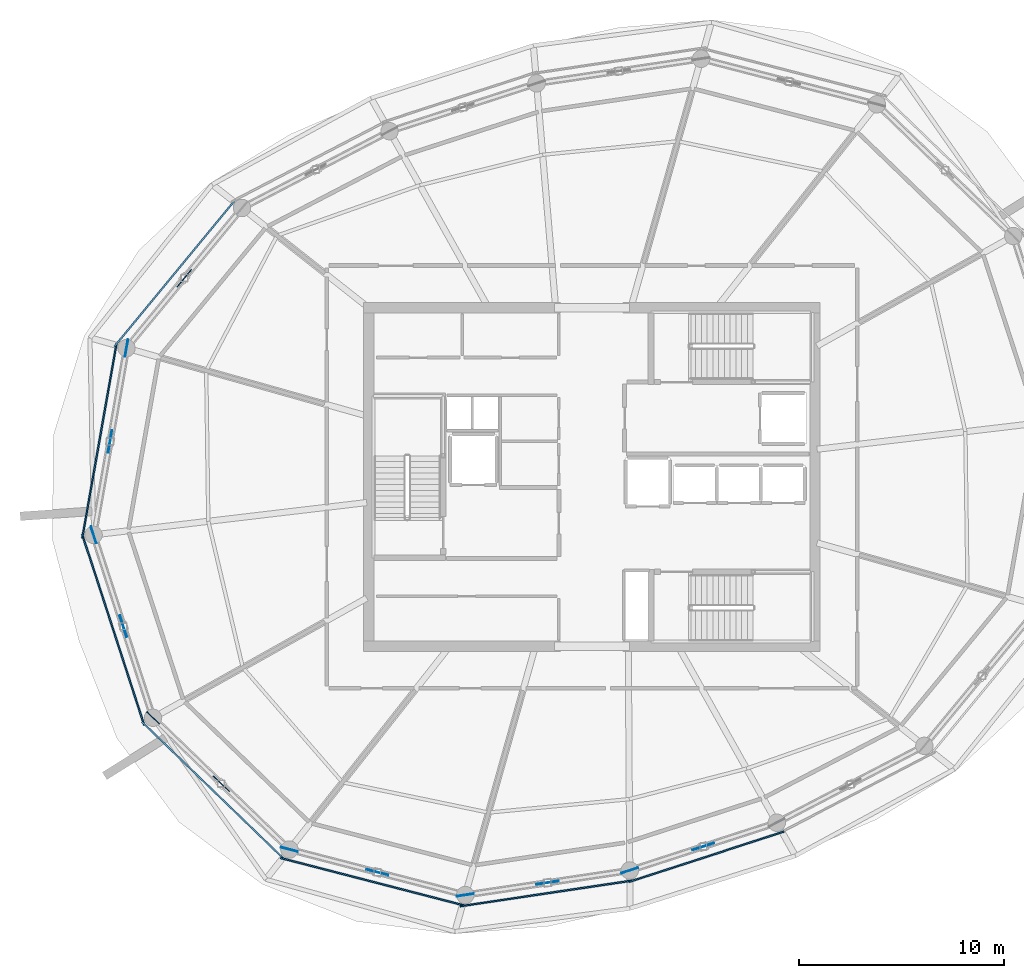
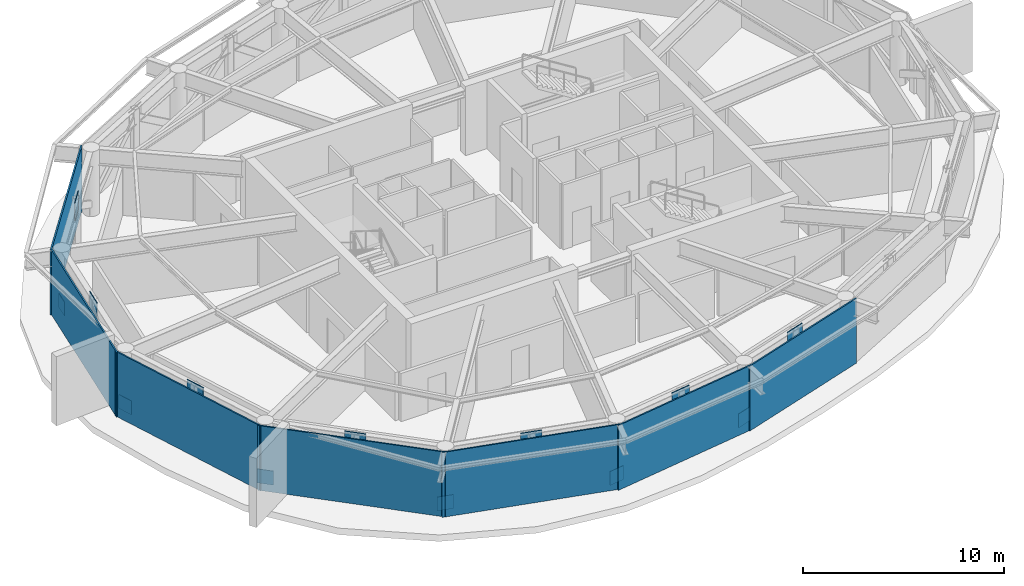
# One storey, part 8 of 14: 20 plates.
"""IFC4 building model written with IfcOpenShell, lengths in metres."""

from ifc_helpers import new_model, si_unit, direction, frame, origin, origin_2d, place, context, subcontext, project, spatial, rectangle, extrude, material, layer, layer_set, type_object, element, save


model = new_model("IFC4")

# Units and contexts
model_context = context("Model", 3, precision=1e-05, world=origin(), true_north=direction((0.0, 1.0)))
body_context = subcontext(model_context, "Body", "Model", "MODEL_VIEW")
ifc_project = project(units=[si_unit("LENGTHUNIT", "METRE"), si_unit("AREAUNIT", "SQUARE_METRE"), si_unit("VOLUMEUNIT", "CUBIC_METRE"), si_unit("PLANEANGLEUNIT", "RADIAN"), si_unit("MASSUNIT", "GRAM", prefix="KILO")], contexts=[model_context])

# Site, building, storey
site_placement = place(None, origin())
site = spatial("IfcSite", under=ifc_project, at=site_placement, CompositionType="ELEMENT")
building_placement = place(site_placement, origin())
building = spatial("IfcBuilding", under=site, at=building_placement, Name="Kazma Halo Residences", CompositionType="ELEMENT")
storey_placement = place(building_placement, frame((0.0, 0.0, 343.10009765625)))
storey = spatial("IfcBuildingStorey", under=building, at=storey_placement, Name="L86", CompositionType="ELEMENT", Elevation=343.10009765625)

# Plates
ifc_material_1 = material(Name="Aluminium AW-6063 T6 Perforated Acoustic Louvre Screen", Category="aluminium")
ifc_layer_1 = layer(ifc_material_1, 0.080078125)
ifc_layer_set_1 = layer_set([ifc_layer_1], Name="Aluminium AW-6063 T6 Perforated Acoustic Louvre Screen")
plate_type_1 = type_object("IfcPlateType", Name="PLT-CROWN-LOUVRE", PredefinedType="SHEET", material=ifc_layer_set_1)
plate_1_placement = place(storey_placement, frame((28.09375, 51.923828125, 0.0), z_axis=(0.0, 0.0, 1.0), x_axis=(-0.636006588977, -0.771683626092, 0.0)))
element("IfcPlate", 1, at=plate_1_placement, inside=storey, type_object=plate_type_1, Name="L86 pale-metal acoustic louvre screen 06", PredefinedType="SHEET", context=body_context, shape_type="SweptSolid", body=[
    extrude(rectangle(XDim=9.251220703125, YDim=0.080078125, at=origin_2d()), origin(), (0.0, 0.0, 1.0), 3.93994140625),
])
plate_2_placement = place(storey_placement, frame((24.423583984375, 43.76513671875, 0.0), z_axis=(0.0, 0.0, 1.0), x_axis=(-0.17364643699, -0.984808059939, 0.0)))
element("IfcPlate", 2, at=plate_2_placement, inside=storey, type_object=plate_type_1, Name="L86 pale-metal acoustic louvre screen 07", PredefinedType="SHEET", context=body_context, shape_type="SweptSolid", body=[
    extrude(rectangle(XDim=9.64111328125, YDim=0.080078125, at=origin_2d()), origin(), (0.0, 0.0, 1.0), 3.93994140625),
])
plate_3_placement = place(storey_placement, frame((25.09375, 34.557373046875, 0.0), z_axis=(0.0, 0.0, 1.0), x_axis=(0.309021671922, -0.951054996455, 0.0)))
element("IfcPlate", 3, at=plate_3_placement, inside=storey, type_object=plate_type_1, Name="L86 pale-metal acoustic louvre screen 08", PredefinedType="SHEET", context=body_context, shape_type="SweptSolid", body=[
    extrude(rectangle(XDim=9.774658203125, YDim=0.080078125, at=origin_2d()), origin(), (0.0, 0.0, 1.0), 3.93994140625),
])
plate_4_placement = place(storey_placement, frame((29.9638671875, 26.714111328125, 0.0), z_axis=(0.0, 0.0, 1.0), x_axis=(0.719335265276, -0.694663066623, 0.0)))
element("IfcPlate", 4, at=plate_4_placement, inside=storey, type_object=plate_type_1, Name="L86 pale-metal acoustic louvre screen 09", PredefinedType="SHEET", context=body_context, shape_type="SweptSolid", body=[
    extrude(rectangle(XDim=9.64111328125, YDim=0.080078125, at=origin_2d()), origin(), (0.0, 0.0, 1.0), 3.93994140625),
])
plate_5_placement = place(storey_placement, frame((37.728515625, 22.270751953125, 0.0), z_axis=(0.0, 0.0, 1.0), x_axis=(0.968126273724, -0.250462608239, 0.0)))
element("IfcPlate", 5, at=plate_5_placement, inside=storey, type_object=plate_type_1, Name="L86 pale-metal acoustic louvre screen 10", PredefinedType="SHEET", context=body_context, shape_type="SweptSolid", body=[
    extrude(rectangle(XDim=9.251220703125, YDim=0.080078125, at=origin_2d()), origin(), (0.0, 0.0, 1.0), 3.93994140625),
])
plate_6_placement = place(storey_placement, frame((46.216064453125, 21.7041015625, 0.0), z_axis=(0.0, 0.0, 1.0), x_axis=(0.989033960442, 0.147688269991, 0.0)))
element("IfcPlate", 6, at=plate_6_placement, inside=storey, type_object=plate_type_1, Name="L86 pale-metal acoustic louvre screen 11", PredefinedType="SHEET", context=body_context, shape_type="SweptSolid", body=[
    extrude(rectangle(XDim=8.505615234375, YDim=0.080078125, at=origin_2d()), origin(), (0.0, 0.0, 1.0), 3.93994140625),
])
plate_7_placement = place(storey_placement, frame((54.01416015625, 23.490478515625, 0.0), z_axis=(0.0, 0.0, 1.0), x_axis=(0.951057860981, 0.309012855826, 0.0)))
element("IfcPlate", 7, at=plate_7_placement, inside=storey, type_object=plate_type_1, Name="L86 pale-metal acoustic louvre screen 12", PredefinedType="SHEET", context=body_context, shape_type="SweptSolid", body=[
    extrude(rectangle(XDim=7.935546875, YDim=0.080078125, at=origin_2d()), origin(), (0.0, 0.0, 1.0), 3.93994140625),
])
ifc_material_2 = material(Name="Steel S355", Category="steel")
ifc_layer_2 = layer(ifc_material_2, 0.0400390625)
ifc_layer_set_2 = layer_set([ifc_layer_2], Name="Steel S355")
plate_type_2 = type_object("IfcPlateType", Name="PLT-GUSSET-40", PredefinedType="SHEET", material=ifc_layer_set_2)
for number, where, z_axis, x_axis, name in (
    (8, (28.55908203125, 51.69189453125, 2.869873046875), (0.0, 0.0, 1.0), (-0.636006588977, -0.771683626092, 0.0), "L86 belt-truss apex gusset plate 06"),
    (9, (24.942138671875, 43.726318359375, 2.869873046875), (0.0, 0.0, 1.0), (-0.17364643699, -0.984808059939, 0.0), "L86 belt-truss apex gusset plate 07"),
):
    element("IfcPlate", number, at=place(storey_placement, frame(where, z_axis=z_axis, x_axis=x_axis)), inside=storey, type_object=plate_type_2, Name=name, PredefinedType="SHEET", context=body_context, shape_type="SweptSolid", body=[
        extrude(rectangle(XDim=1.10009765625, YDim=0.0400390625, at=origin_2d()), origin(), (0.0, 0.0, 1.0), 1.10009765625),
    ])
plate_8_placement = place(storey_placement, frame((25.744384765625, 48.276611328125, 0.054931640625), z_axis=(0.0, 0.0, 1.0), x_axis=(-0.17364643699, -0.984808059939, 0.0)))
element("IfcPlate", 10, at=plate_8_placement, inside=storey, type_object=plate_type_2, Name="L86 belt-truss column gusset plate 07", PredefinedType="SHEET", context=body_context, shape_type="SweptSolid", body=[
    extrude(rectangle(XDim=0.85009765625, YDim=0.0400390625, at=origin_2d()), origin(), (0.0, 0.0, 1.0), 0.85009765625),
])
plate_9_placement = place(storey_placement, frame((25.588134765625, 34.718017578125, 2.869873046875), z_axis=(0.0, 0.0, 1.0), x_axis=(0.309021671922, -0.951054996455, 0.0)))
element("IfcPlate", 11, at=plate_9_placement, inside=storey, type_object=plate_type_2, Name="L86 belt-truss apex gusset plate 08", PredefinedType="SHEET", context=body_context, shape_type="SweptSolid", body=[
    extrude(rectangle(XDim=1.10009765625, YDim=0.0400390625, at=origin_2d()), origin(), (0.0, 0.0, 1.0), 1.10009765625),
])
plate_10_placement = place(storey_placement, frame((24.1396484375, 39.17578125, 0.054931640625), z_axis=(0.0, 0.0, 1.0), x_axis=(0.309021671922, -0.951054996455, 0.0)))
element("IfcPlate", 12, at=plate_10_placement, inside=storey, type_object=plate_type_2, Name="L86 belt-truss column gusset plate 08", PredefinedType="SHEET", context=body_context, shape_type="SweptSolid", body=[
    extrude(rectangle(XDim=0.85009765625, YDim=0.0400390625, at=origin_2d()), origin(), (0.0, 0.0, 1.0), 0.85009765625),
])
plate_11_placement = place(storey_placement, frame((30.360595703125, 27.05029296875, 2.869873046875), z_axis=(0.0, 0.0, 1.0), x_axis=(0.719335265276, -0.694663066623, 0.0)))
element("IfcPlate", 13, at=plate_11_placement, inside=storey, type_object=plate_type_2, Name="L86 belt-truss apex gusset plate 09", PredefinedType="SHEET", context=body_context, shape_type="SweptSolid", body=[
    extrude(rectangle(XDim=1.10009765625, YDim=0.0400390625, at=origin_2d()), origin(), (0.0, 0.0, 1.0), 1.10009765625),
])
plate_12_placement = place(storey_placement, frame((27.03662109375, 30.260009765625, 0.054931640625), z_axis=(0.0, 0.0, 1.0), x_axis=(0.719335265276, -0.694663066623, 0.0)))
element("IfcPlate", 14, at=plate_12_placement, inside=storey, type_object=plate_type_2, Name="L86 belt-truss column gusset plate 09", PredefinedType="SHEET", context=body_context, shape_type="SweptSolid", body=[
    extrude(rectangle(XDim=0.85009765625, YDim=0.0400390625, at=origin_2d()), origin(), (0.0, 0.0, 1.0), 0.85009765625),
])
plate_13_placement = place(storey_placement, frame((37.96875, 22.732177734375, 2.869873046875), z_axis=(0.0, 0.0, 1.0), x_axis=(0.968126273724, -0.250462608239, 0.0)))
element("IfcPlate", 15, at=plate_13_placement, inside=storey, type_object=plate_type_2, Name="L86 belt-truss apex gusset plate 10", PredefinedType="SHEET", context=body_context, shape_type="SweptSolid", body=[
    extrude(rectangle(XDim=1.10009765625, YDim=0.0400390625, at=origin_2d()), origin(), (0.0, 0.0, 1.0), 1.10009765625),
])
plate_14_placement = place(storey_placement, frame((33.68408203125, 23.840576171875, 0.054931640625), z_axis=(0.0, 0.0, 1.0), x_axis=(0.968126273724, -0.250462608239, 0.0)))
element("IfcPlate", 16, at=plate_14_placement, inside=storey, type_object=plate_type_2, Name="L86 belt-truss column gusset plate 10", PredefinedType="SHEET", context=body_context, shape_type="SweptSolid", body=[
    extrude(rectangle(XDim=0.85009765625, YDim=0.0400390625, at=origin_2d()), origin(), (0.0, 0.0, 1.0), 0.85009765625),
])
plate_15_placement = place(storey_placement, frame((46.26171875, 22.22216796875, 2.869873046875), z_axis=(0.0, 0.0, 1.0), x_axis=(0.989033960442, 0.147688269991, 0.0)))
element("IfcPlate", 17, at=plate_15_placement, inside=storey, type_object=plate_type_2, Name="L86 belt-truss apex gusset plate 11", PredefinedType="SHEET", context=body_context, shape_type="SweptSolid", body=[
    extrude(rectangle(XDim=1.10009765625, YDim=0.0400390625, at=origin_2d()), origin(), (0.0, 0.0, 1.0), 1.10009765625),
])
plate_16_placement = place(storey_placement, frame((42.25341796875, 21.62353515625, 0.054931640625), z_axis=(0.0, 0.0, 1.0), x_axis=(0.989033960442, 0.147688269991, 0.0)))
element("IfcPlate", 18, at=plate_16_placement, inside=storey, type_object=plate_type_2, Name="L86 belt-truss column gusset plate 11", PredefinedType="SHEET", context=body_context, shape_type="SweptSolid", body=[
    extrude(rectangle(XDim=0.85009765625, YDim=0.0400390625, at=origin_2d()), origin(), (0.0, 0.0, 1.0), 0.85009765625),
])
plate_17_placement = place(storey_placement, frame((53.853515625, 23.985107421875, 2.869873046875), z_axis=(0.0, 0.0, 1.0), x_axis=(0.951057860981, 0.309012855826, 0.0)))
element("IfcPlate", 19, at=plate_17_placement, inside=storey, type_object=plate_type_2, Name="L86 belt-truss apex gusset plate 12", PredefinedType="SHEET", context=body_context, shape_type="SweptSolid", body=[
    extrude(rectangle(XDim=1.10009765625, YDim=0.0400390625, at=origin_2d()), origin(), (0.0, 0.0, 1.0), 1.10009765625),
])
plate_18_placement = place(storey_placement, frame((50.27001953125, 22.82080078125, 0.054931640625), z_axis=(0.0, 0.0, 1.0), x_axis=(0.951057860981, 0.309012855826, 0.0)))
element("IfcPlate", 20, at=plate_18_placement, inside=storey, type_object=plate_type_2, Name="L86 belt-truss column gusset plate 12", PredefinedType="SHEET", context=body_context, shape_type="SweptSolid", body=[
    extrude(rectangle(XDim=0.85009765625, YDim=0.0400390625, at=origin_2d()), origin(), (0.0, 0.0, 1.0), 0.85009765625),
])

save(model, "model.ifc")
